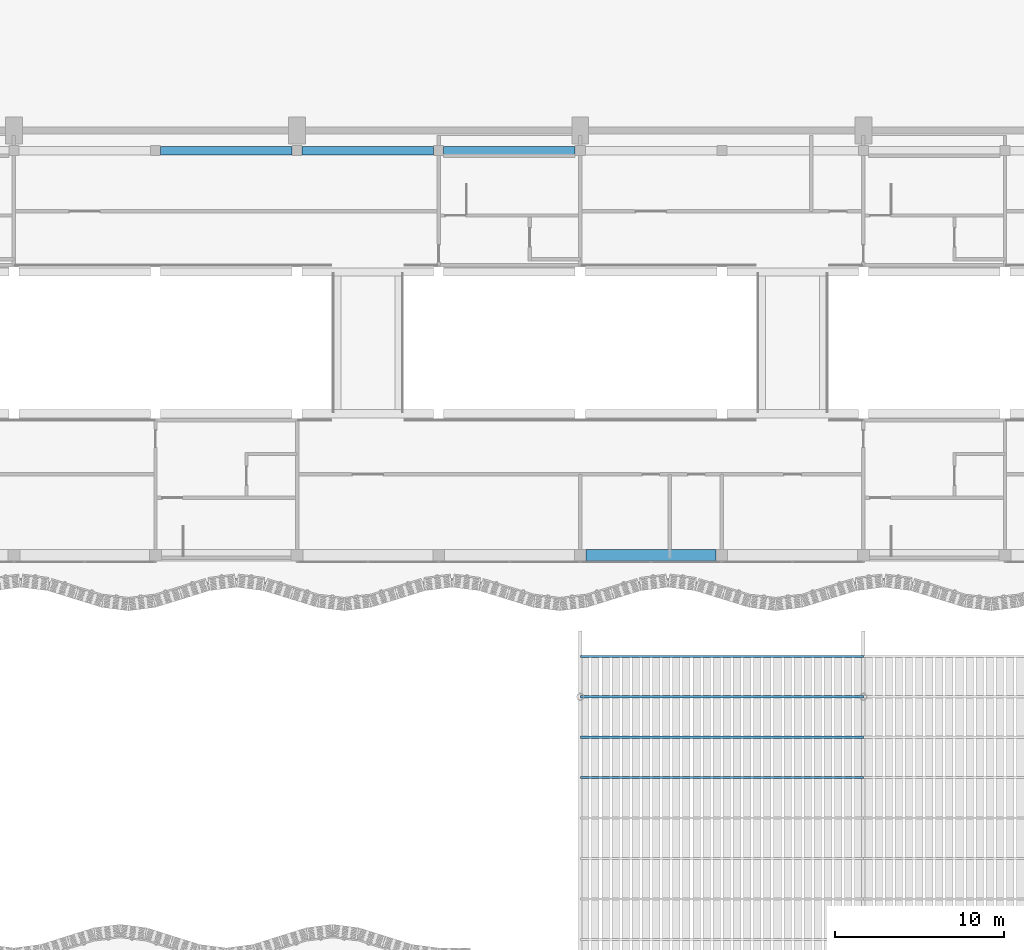
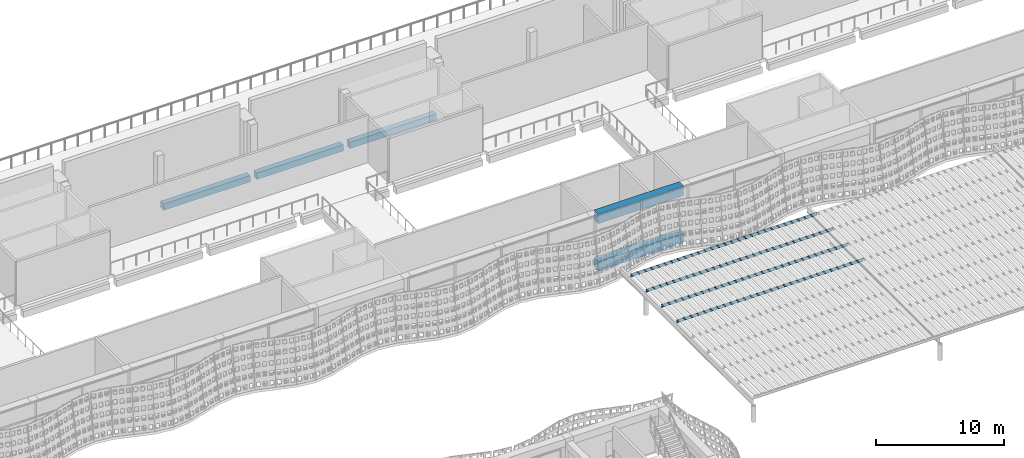
# One storey, part 31 of 162: 5 beams, 4 members.
"""IFC4 building model written with IfcOpenShell, lengths in metres."""

from ifc_helpers import new_model, si_unit, direction, frame, origin, origin_2d, place, context, subcontext, project, spatial, rectangle, i_section, extrude, material, material_profile, profile_set, type_object, element, save


model = new_model("IFC4")

# Units and contexts
model_context = context("Model", 3, precision=1e-05, world=origin(), true_north=direction((0.0, 1.0)))
body_context = subcontext(model_context, "Body", "Model", "MODEL_VIEW")
ifc_project = project(units=[si_unit("LENGTHUNIT", "METRE"), si_unit("AREAUNIT", "SQUARE_METRE"), si_unit("VOLUMEUNIT", "CUBIC_METRE"), si_unit("PLANEANGLEUNIT", "RADIAN"), si_unit("MASSUNIT", "GRAM", prefix="KILO")], contexts=[model_context])

# Site, building, storey
site_placement = place(None, origin())
site = spatial("IfcSite", under=ifc_project, at=site_placement, CompositionType="ELEMENT")
building_placement = place(site_placement, origin())
building = spatial("IfcBuilding", under=site, at=building_placement, Name="Rain Tree Exposition and Congress Centre", CompositionType="ELEMENT")
storey_placement = place(building_placement, frame((0.0, 0.0, 6.0)))
storey = spatial("IfcBuildingStorey", under=building, at=storey_placement, Name="L01", CompositionType="ELEMENT", Elevation=6.0)

# Beams
ifc_material_1 = material(Name="Precast concrete C50/60", Category="concrete")
ifc_material_profile_1 = material_profile(ifc_material_1, rectangle(XDim=0.5, YDim=0.60009765625, at=origin_2d()), Name="RC 500x600")
ifc_profile_set_1 = profile_set([ifc_material_profile_1], Name="Precast concrete C50/60")
beam_type_1 = type_object("IfcBeamType", Name="Precast beam 500x600", PredefinedType="BEAM", material=ifc_profile_set_1)
for number, where, z_axis, x_axis, name in (
    (1, (33.89990234375, 99.60009765625, -0.60009765625), (1.0, 0.0, 0.0), (0.0, 1.0, 0.0), "Concourse floor beam 101"),
    (2, (42.300048828125, 99.60009765625, -0.60009765625), (1.0, 0.0, 0.0), (0.0, 1.0, 0.0), "Concourse floor beam 102"),
    (3, (50.699951171875, 99.60009765625, -0.60009765625), (1.0, 0.0, 0.0), (0.0, 1.0, 0.0), "Concourse floor beam 103"),
):
    element("IfcBeam", number, at=place(storey_placement, frame(where, z_axis=z_axis, x_axis=x_axis)), inside=storey, type_object=beam_type_1, Name=name, PredefinedType="BEAM", context=body_context, shape_type="SweptSolid", body=[
        extrude(rectangle(XDim=0.5, YDim=0.60009765625, at=origin_2d()), origin(), (0.0, 0.0, 1.0), 7.800048828125),
    ])
ifc_material_2 = material(Name="Precast concrete C50/60", Category="concrete")
ifc_material_profile_2 = material_profile(ifc_material_2, rectangle(XDim=0.699951171875, YDim=0.89990234375, at=origin_2d()), Name="RC 700x900")
ifc_profile_set_2 = profile_set([ifc_material_profile_2], Name="Precast concrete C50/60")
beam_type_2 = type_object("IfcBeamType", Name="Precast beam 700x900", PredefinedType="BEAM", material=ifc_profile_set_2)
for number, where, z_axis, x_axis, name in (
    (4, (59.14990234375, 75.60009765625, -0.449951171875), (1.0, 0.0, 0.0), (0.0, 1.0, 0.0), "Concourse edge beam 8"),
    (5, (59.14990234375, 75.60009765625, 4.050048828125), (1.0, 0.0, 0.0), (0.0, 1.0, 0.0), "Concourse roof edge beam 8"),
):
    element("IfcBeam", number, at=place(storey_placement, frame(where, z_axis=z_axis, x_axis=x_axis)), inside=storey, type_object=beam_type_2, Name=name, PredefinedType="BEAM", context=body_context, shape_type="SweptSolid", body=[
        extrude(rectangle(XDim=0.699951171875, YDim=0.89990234375, at=origin_2d()), origin(), (0.0, 0.0, 1.0), 7.7001953125),
    ])

# Members
ifc_material_3 = material(Name="Steel S355J2", Category="steel")
ifc_material_profile_3 = material_profile(ifc_material_3, i_section(OverallWidth=0.125, OverallDepth=0.25, WebThickness=0.006103515625, FlangeThickness=0.009033203125, FilletRadius=0.008056640625, at=origin_2d()), Name="H 250x125x6x9")
ifc_profile_set_3 = profile_set([ifc_material_profile_3], Name="Steel S355J2")
member_type = type_object("IfcMemberType", Name="Steel purlin H 250x125x6x9", PredefinedType="PURLIN", material=ifc_profile_set_3)
for number, where, z_axis, x_axis, name in (
    (6, (58.800048828125, 62.39990234375, 2.22509765625), (1.0, 0.0, 0.0), (0.0, 1.0, 0.0), "Canopy purlin 26"),
    (7, (58.800048828125, 64.800048828125, 2.22509765625), (1.0, 0.0, 0.0), (0.0, 1.0, 0.0), "Canopy purlin 31"),
    (8, (58.800048828125, 67.199951171875, 2.22509765625), (1.0, 0.0, 0.0), (0.0, 1.0, 0.0), "Canopy purlin 36"),
    (9, (58.800048828125, 69.60009765625, 2.22509765625), (1.0, 0.0, 0.0), (0.0, 1.0, 0.0), "Canopy purlin 41"),
):
    element("IfcMember", number, at=place(storey_placement, frame(where, z_axis=z_axis, x_axis=x_axis)), inside=storey, type_object=member_type, Name=name, PredefinedType="PURLIN", context=body_context, shape_type="SweptSolid", body=[
        extrude(i_section(OverallWidth=0.125, OverallDepth=0.25, WebThickness=0.006103515625, FlangeThickness=0.009033203125, FilletRadius=0.008056640625, at=origin_2d()), origin(), (0.0, 0.0, 1.0), 16.800048828125),
    ])

save(model, "model.ifc")
